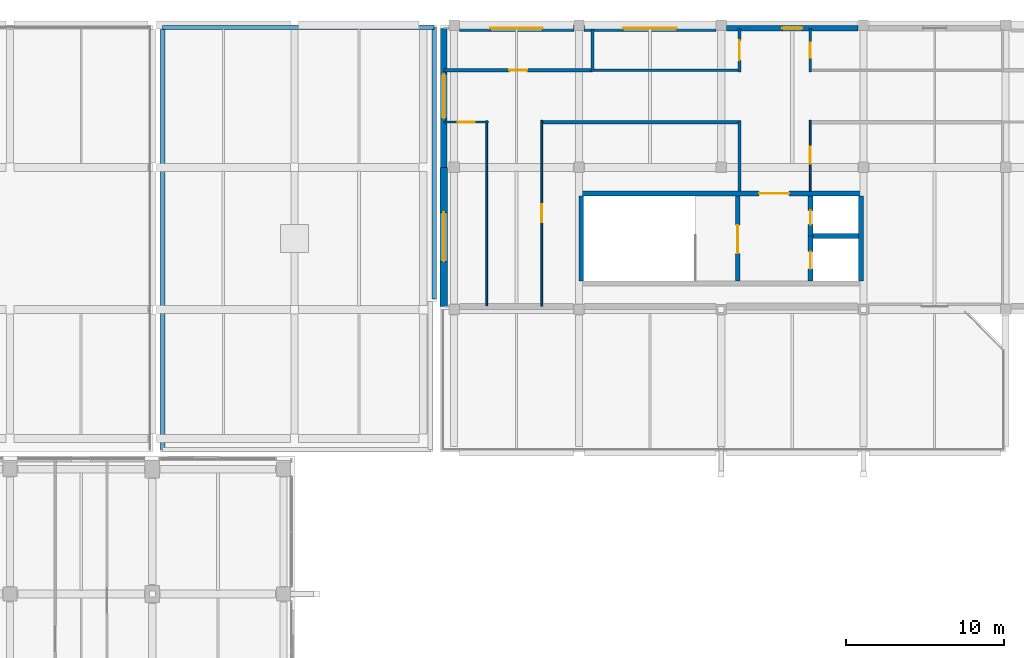
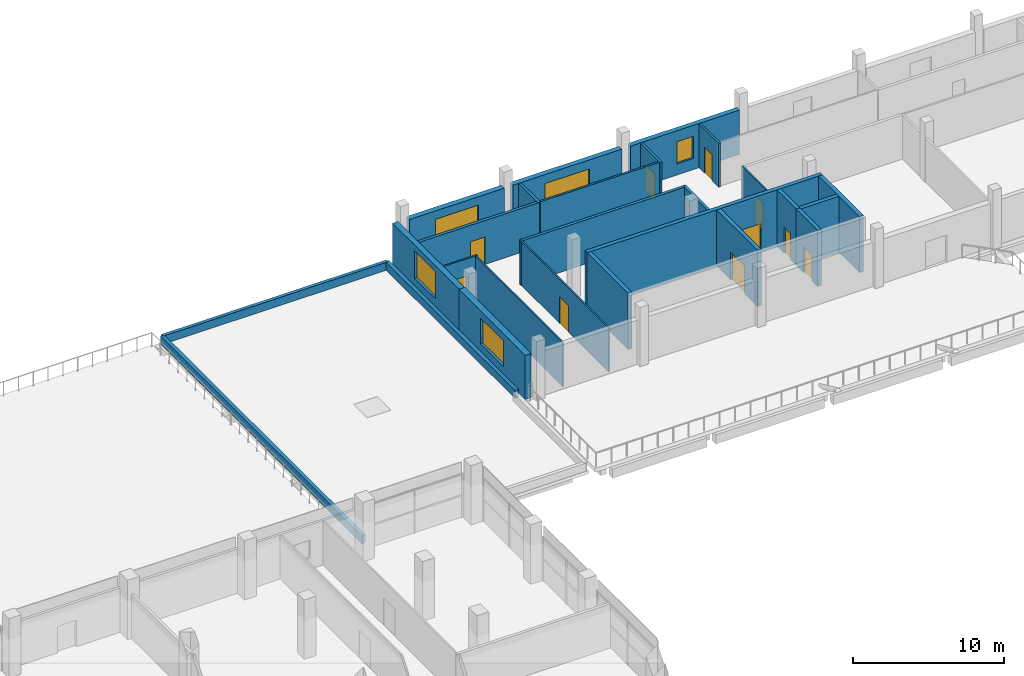
# One storey, part 59 of 82: 26 walls, 10 doors, 5 windows, 15 openings.
"""IFC4 building model written with IfcOpenShell, lengths in metres."""

from ifc_helpers import new_model, si_unit, direction, frame, frame_2d, origin, place, context, subcontext, project, spatial, rectangle, extrude, material, layer, layer_set, type_object, element, fill, save


model = new_model("IFC4")

# Units and contexts
model_context = context("Model", 3, precision=1e-05, world=origin(), true_north=direction((0.0, 1.0)))
body_context = subcontext(model_context, "Body", "Model", "MODEL_VIEW")
ifc_project = project(units=[si_unit("LENGTHUNIT", "METRE"), si_unit("AREAUNIT", "SQUARE_METRE"), si_unit("VOLUMEUNIT", "CUBIC_METRE"), si_unit("PLANEANGLEUNIT", "RADIAN"), si_unit("MASSUNIT", "GRAM", prefix="KILO"), si_unit("THERMODYNAMICTEMPERATUREUNIT", "KELVIN"), si_unit("POWERUNIT", "WATT")], contexts=[model_context])

# Site, building, storey
site_placement = place(None, origin())
site = spatial("IfcSite", under=ifc_project, at=site_placement, CompositionType="ELEMENT")
building_placement = place(site_placement, origin())
building = spatial("IfcBuilding", under=site, at=building_placement, Name="Sindhuravela Promenade Stadium", CompositionType="ELEMENT")
storey_placement = place(building_placement, frame((0.0, 0.0, 14.39990234375)))
storey = spatial("IfcBuildingStorey", under=building, at=storey_placement, Name="L03", CompositionType="ELEMENT", Elevation=14.39990234375)

# Wall, opening, window
ifc_material_1 = material(Name="Terracotta clay brick masonry (15 MPa)", Category="masonry")
ifc_layer_1 = layer(ifc_material_1, 0.360107421875)
ifc_layer_set_1 = layer_set([ifc_layer_1], Name="Terracotta clay brick masonry (15 MPa)")
wall_type_1 = type_object("IfcWallType", Name="EX-WL-BRK360", PredefinedType="SOLIDWALL", material=ifc_layer_set_1)
wall_1_placement = place(storey_placement, frame((72.330078125, 152.800048828125, 0.0), z_axis=(0.0, 0.0, 1.0), x_axis=(1.0, 0.0, 0.0)))
wall_1 = element("IfcWall", 1, at=wall_1_placement, inside=storey, type_object=wall_type_1, Name="Exterior masonry wall EW05 NORTH L03", PredefinedType="SOLIDWALL", context=body_context, shape_type="SweptSolid", body=[
    extrude(rectangle(XDim=8.33984375, YDim=0.360107421875, at=frame_2d((4.169921875, 0.0))), origin(), (0.0, 0.0, 1.0), 3.580078125),
])
opening_1_placement = place(wall_1_placement, frame((3.544921875, 0.0, 0.89990234375)))
opening_1 = element("IfcOpeningElement", 2, at=opening_1_placement, cuts=wall_1, Name="Opening W25", PredefinedType="OPENING", context=body_context, shape_type="SweptSolid", body=[
    extrude(rectangle(XDim=1.25, YDim=1.800048828125, at=frame_2d((0.625, 0.89990234375))), frame((0.0, 0.18994140625, 0.0), z_axis=(0.0, -1.0, 0.0), x_axis=(1.0, 0.0, 0.0)), (0.0, 0.0, 1.0), 0.380126953125),
])
ifc_material_2 = material(Name="Tempered laminated low-E glass", Category="glass")
window_type_1 = type_object("IfcWindowType", Name="WN-FAC-1250x1800", PartitioningType="SINGLE_PANEL", PredefinedType="WINDOW", material=ifc_material_2)
window_1_placement = place(opening_1_placement, origin())
window_1 = element("IfcWindow", 3, at=window_1_placement, inside=storey, type_object=window_type_1, Name="Window W25 NORTH L03", OverallHeight=1.800048828125, OverallWidth=1.25, PartitioningType="SINGLE_PANEL", PredefinedType="WINDOW", context=body_context, shape_type="SweptSolid", body=[
    extrude(rectangle(XDim=1.25, YDim=1.800048828125, at=frame_2d((0.625, 0.89990234375))), frame((0.0, 0.030029296875, 0.0), z_axis=(0.0, -1.0, 0.0), x_axis=(1.0, 0.0, 0.0)), (0.0, 0.0, 1.0), 0.06005859375),
])
fill(opening_1, window_1)

ifc_layer_2 = layer(ifc_material_1, 0.3798828125)
ifc_layer_set_2 = layer_set([ifc_layer_2], Name="Terracotta clay brick masonry (15 MPa)")
wall_type_2 = type_object("IfcWallType", Name="EX-WL-BRK380", PredefinedType="SOLIDWALL", material=ifc_layer_set_2)
wall_2_placement = place(storey_placement, frame((63.330078125, 152.800048828125, 0.0), z_axis=(0.0, 0.0, 1.0), x_axis=(1.0, 0.0, 0.0)))
wall_2 = element("IfcWall", 4, at=wall_2_placement, inside=storey, type_object=wall_type_2, Name="Exterior masonry wall EW04 NORTH L03", PredefinedType="SOLIDWALL", context=body_context, shape_type="SweptSolid", body=[
    extrude(rectangle(XDim=8.33984375, YDim=0.3798828125, at=frame_2d((4.169921875, 0.0))), origin(), (0.0, 0.0, 1.0), 3.580078125),
])
opening_2_placement = place(wall_2_placement, frame((2.469970703125, 0.0, 0.89990234375)))
opening_2 = element("IfcOpeningElement", 5, at=opening_2_placement, cuts=wall_2, Name="Opening W24", PredefinedType="OPENING", context=body_context, shape_type="SweptSolid", body=[
    extrude(rectangle(XDim=3.39990234375, YDim=1.949951171875, at=frame_2d((1.699951171875, 0.97509765625))), frame((0.0, 0.199951171875, 0.0), z_axis=(0.0, -1.0, 0.0), x_axis=(1.0, 0.0, 0.0)), (0.0, 0.0, 1.0), 0.39990234375),
])
window_type_2 = type_object("IfcWindowType", Name="WN-FAC-3400x1950", PartitioningType="DOUBLE_PANEL_VERTICAL", PredefinedType="WINDOW", material=ifc_material_2)
window_2_placement = place(opening_2_placement, origin())
window_2 = element("IfcWindow", 6, at=window_2_placement, inside=storey, type_object=window_type_2, Name="Window W24 NORTH L03", OverallHeight=1.949951171875, OverallWidth=3.39990234375, PartitioningType="DOUBLE_PANEL_VERTICAL", PredefinedType="WINDOW", context=body_context, shape_type="SweptSolid", body=[
    extrude(rectangle(XDim=3.39990234375, YDim=1.949951171875, at=frame_2d((1.699951171875, 0.97509765625))), frame((0.0, 0.030029296875, 0.0), z_axis=(0.0, -1.0, 0.0), x_axis=(1.0, 0.0, 0.0)), (0.0, 0.0, 1.0), 0.06005859375),
])
fill(opening_2, window_2)

ifc_layer_3 = layer(ifc_material_1, 0.39990234375)
ifc_layer_set_3 = layer_set([ifc_layer_3], Name="Terracotta clay brick masonry (15 MPa)")
wall_type_3 = type_object("IfcWallType", Name="EX-WL-BRK400", PredefinedType="SOLIDWALL", material=ifc_layer_set_3)
wall_3_placement = place(storey_placement, frame((55.429931640625, 152.800048828125, 0.0), z_axis=(0.0, 0.0, 1.0), x_axis=(1.0, 0.0, 0.0)))
wall_3 = element("IfcWall", 7, at=wall_3_placement, inside=storey, type_object=wall_type_3, Name="Exterior masonry wall EW03 NORTH L03", PredefinedType="SOLIDWALL", context=body_context, shape_type="SweptSolid", body=[
    extrude(rectangle(XDim=7.239990234375, YDim=0.39990234375, at=frame_2d((3.6201171875, 0.0))), origin(), (0.0, 0.0, 1.0), 3.580078125),
])
opening_3_placement = place(wall_3_placement, frame((1.969970703125, 0.0, 0.89990234375)))
opening_3 = element("IfcOpeningElement", 8, at=opening_3_placement, cuts=wall_3, Name="Opening W23", PredefinedType="OPENING", context=body_context, shape_type="SweptSolid", body=[
    extrude(rectangle(XDim=3.300048828125, YDim=2.0, at=frame_2d((1.64990234375, 1.0))), frame((0.0, 0.2099609375, 0.0), z_axis=(0.0, -1.0, 0.0), x_axis=(1.0, 0.0, 0.0)), (0.0, 0.0, 1.0), 0.419921875),
])
window_type_3 = type_object("IfcWindowType", Name="WN-FAC-3300x2000", PartitioningType="DOUBLE_PANEL_VERTICAL", PredefinedType="WINDOW", material=ifc_material_2)
window_3_placement = place(opening_3_placement, origin())
window_3 = element("IfcWindow", 9, at=window_3_placement, inside=storey, type_object=window_type_3, Name="Window W23 NORTH L03", OverallHeight=2.0, OverallWidth=3.300048828125, PartitioningType="DOUBLE_PANEL_VERTICAL", PredefinedType="WINDOW", context=body_context, shape_type="SweptSolid", body=[
    extrude(rectangle(XDim=3.300048828125, YDim=2.0, at=frame_2d((1.64990234375, 1.0))), frame((0.0, 0.030029296875, 0.0), z_axis=(0.0, -1.0, 0.0), x_axis=(1.0, 0.0, 0.0)), (0.0, 0.0, 1.0), 0.06005859375),
])
fill(opening_3, window_3)

ifc_layer_4 = layer(ifc_material_1, 0.419921875)
ifc_layer_set_4 = layer_set([ifc_layer_4], Name="Terracotta clay brick masonry (15 MPa)")
wall_type_4 = type_object("IfcWallType", Name="EX-WL-BRK420", PredefinedType="SOLIDWALL", material=ifc_layer_set_4)
wall_4_placement = place(storey_placement, frame((54.449951171875, 144.0, 0.0), z_axis=(0.0, 0.0, 1.0), x_axis=(0.0, 1.0, 0.0)))
wall_4 = element("IfcWall", 10, at=wall_4_placement, inside=storey, type_object=wall_type_4, Name="Exterior masonry wall EW02 NORTH L03", PredefinedType="SOLIDWALL", context=body_context, shape_type="SweptSolid", body=[
    extrude(rectangle(XDim=8.800048828125, YDim=0.419921875, at=frame_2d((4.39990234375, 0.0))), origin(), (0.0, 0.0, 1.0), 3.580078125),
])
opening_4_placement = place(wall_4_placement, frame((3.10009765625, 0.0, 0.89990234375)))
opening_4 = element("IfcOpeningElement", 11, at=opening_4_placement, cuts=wall_4, Name="Opening W18", PredefinedType="OPENING", context=body_context, shape_type="SweptSolid", body=[
    extrude(rectangle(XDim=2.800048828125, YDim=2.199951171875, at=frame_2d((1.39990234375, 1.10009765625))), frame((0.0, 0.219970703125, 0.0), z_axis=(0.0, -1.0, 0.0), x_axis=(1.0, 0.0, 0.0)), (0.0, 0.0, 1.0), 0.43994140625),
])
window_type_4 = type_object("IfcWindowType", Name="WN-FAC-2800x2200", PartitioningType="DOUBLE_PANEL_VERTICAL", PredefinedType="WINDOW", material=ifc_material_2)
window_4_placement = place(opening_4_placement, origin())
window_4 = element("IfcWindow", 12, at=window_4_placement, inside=storey, type_object=window_type_4, Name="Window W22 NORTH L03", OverallHeight=2.199951171875, OverallWidth=2.800048828125, PartitioningType="DOUBLE_PANEL_VERTICAL", PredefinedType="WINDOW", context=body_context, shape_type="SweptSolid", body=[
    extrude(rectangle(XDim=2.800048828125, YDim=2.199951171875, at=frame_2d((1.39990234375, 1.10009765625))), frame((0.0, 0.030029296875, 0.0), z_axis=(0.0, -1.0, 0.0), x_axis=(1.0, 0.0, 0.0)), (0.0, 0.0, 1.0), 0.06005859375),
])
fill(opening_4, window_4)

ifc_layer_5 = layer(ifc_material_1, 0.4599609375)
ifc_layer_set_5 = layer_set([ifc_layer_5], Name="Terracotta clay brick masonry (15 MPa)")
wall_type_5 = type_object("IfcWallType", Name="EX-WL-BRK460", PredefinedType="SOLIDWALL", material=ifc_layer_set_5)
wall_5_placement = place(storey_placement, frame((54.449951171875, 135.199951171875, 0.0), z_axis=(0.0, 0.0, 1.0), x_axis=(0.0, 1.0, 0.0)))
wall_5 = element("IfcWall", 13, at=wall_5_placement, inside=storey, type_object=wall_type_5, Name="Exterior masonry wall EW01 NORTH L03", PredefinedType="SOLIDWALL", context=body_context, shape_type="SweptSolid", body=[
    extrude(rectangle(XDim=8.800048828125, YDim=0.4599609375, at=frame_2d((4.39990234375, 0.0))), origin(), (0.0, 0.0, 1.0), 3.580078125),
])
opening_5_placement = place(wall_5_placement, frame((2.85009765625, 0.0, 0.89990234375)))
opening_5 = element("IfcOpeningElement", 14, at=opening_5_placement, cuts=wall_5, Name="Opening W21", PredefinedType="OPENING", context=body_context, shape_type="SweptSolid", body=[
    extrude(rectangle(XDim=3.10009765625, YDim=2.10009765625, at=frame_2d((1.550048828125, 1.050048828125))), frame((0.0, 0.239990234375, 0.0), z_axis=(0.0, -1.0, 0.0), x_axis=(1.0, 0.0, 0.0)), (0.0, 0.0, 1.0), 0.47998046875),
])
window_type_5 = type_object("IfcWindowType", Name="WN-FAC-3100x2100", PartitioningType="DOUBLE_PANEL_VERTICAL", PredefinedType="WINDOW", material=ifc_material_2)
window_5_placement = place(opening_5_placement, origin())
window_5 = element("IfcWindow", 15, at=window_5_placement, inside=storey, type_object=window_type_5, Name="Window W21 NORTH L03", OverallHeight=2.10009765625, OverallWidth=3.10009765625, PartitioningType="DOUBLE_PANEL_VERTICAL", PredefinedType="WINDOW", context=body_context, shape_type="SweptSolid", body=[
    extrude(rectangle(XDim=3.10009765625, YDim=2.10009765625, at=frame_2d((1.550048828125, 1.050048828125))), frame((0.0, 0.030029296875, 0.0), z_axis=(0.0, -1.0, 0.0), x_axis=(1.0, 0.0, 0.0)), (0.0, 0.0, 1.0), 0.06005859375),
])
fill(opening_5, window_5)

# Walls
ifc_material_3 = material(Name="Dholpur sandstone ashlar (45 MPa)", Category="masonry")
ifc_layer_6 = layer(ifc_material_3, 0.25)
ifc_layer_set_6 = layer_set([ifc_layer_6], Name="Dholpur sandstone ashlar (45 MPa)")
wall_type_6 = type_object("IfcWallType", Name="EX-WL-PAR250", PredefinedType="PARAPET", material=ifc_layer_set_6)
wall_6_placement = place(storey_placement, frame((36.659912109375, 152.840087890625, 0.0), z_axis=(0.0, 0.0, 1.0), x_axis=(1.0, 0.0, 0.0)))
element("IfcWall", 16, at=wall_6_placement, inside=storey, type_object=wall_type_6, Name="Maintenance roof parapet Pavilion NW 29", PredefinedType="PARAPET", context=body_context, shape_type="SweptSolid", body=[
    extrude(rectangle(XDim=17.18017578125, YDim=0.25, at=frame_2d((8.590087890625, 0.0))), origin(), (0.0, 0.0, 1.0), 0.650146484375),
])
ifc_layer_7 = layer(ifc_material_1, 0.27001953125)
ifc_layer_set_7 = layer_set([ifc_layer_7], Name="Terracotta clay brick masonry (15 MPa)")
wall_type_7 = type_object("IfcWallType", Name="EX-WL-PAR270", PredefinedType="PARAPET", material=ifc_layer_set_7)
wall_7_placement = place(storey_placement, frame((36.659912109375, 126.159912109375, 0.0), z_axis=(0.0, 0.0, 1.0), x_axis=(0.0, 1.0, 0.0)))
element("IfcWall", 17, at=wall_7_placement, inside=storey, type_object=wall_type_7, Name="Maintenance roof parapet Pavilion NW 28", PredefinedType="PARAPET", context=body_context, shape_type="SweptSolid", body=[
    extrude(rectangle(XDim=26.68017578125, YDim=0.27001953125, at=frame_2d((13.340087890625, 0.0))), origin(), (0.0, 0.0, 1.0), 0.650146484375),
])
wall_8_placement = place(storey_placement, frame((53.840087890625, 152.840087890625, 0.0), z_axis=(0.0, 0.0, 1.0), x_axis=(0.0, -1.0, 0.0)))
element("IfcWall", 18, at=wall_8_placement, inside=storey, type_object=wall_type_7, Name="Maintenance roof parapet Pavilion NW 30", PredefinedType="PARAPET", context=body_context, shape_type="SweptSolid", body=[
    extrude(rectangle(XDim=17.18017578125, YDim=0.27001953125, at=frame_2d((8.590087890625, 0.0))), origin(), (0.0, 0.0, 1.0), 0.650146484375),
])

# Wall, opening, door
ifc_material_4 = material(Name="Fire-rated gypsum partition board", Category="gypsum")
ifc_layer_8 = layer(ifc_material_4, 0.110107421875)
ifc_layer_set_8 = layer_set([ifc_layer_8], Name="Fire-rated gypsum partition board")
wall_type_8 = type_object("IfcWallType", Name="IN-WL-PAR110", PredefinedType="PARTITIONING", material=ifc_layer_set_8)
wall_9_placement = place(storey_placement, frame((77.639892578125, 146.97998046875, 0.0), z_axis=(0.0, 0.0, 1.0), x_axis=(0.0, -1.0, 0.0)))
wall_9 = element("IfcWall", 19, at=wall_9_placement, inside=storey, type_object=wall_type_8, Name="Corridor partition IW06 Accessible WC North L03", PredefinedType="PARTITIONING", context=body_context, shape_type="SweptSolid", body=[
    extrude(rectangle(XDim=4.47802734375, YDim=0.110107421875, at=frame_2d((2.239013671875, 0.0))), origin(), (0.0, 0.0, 1.0), 3.56005859375),
])
opening_6_placement = place(wall_9_placement, frame((1.659912109375, 0.0, 0.0)))
opening_6 = element("IfcOpeningElement", 20, at=opening_6_placement, cuts=wall_9, Name="Opening ID12", PredefinedType="OPENING", context=body_context, shape_type="SweptSolid", body=[
    extrude(rectangle(XDim=1.080078125, YDim=2.179931640625, at=frame_2d((0.5400390625, 1.08984375))), frame((0.0, 0.06494140625, 0.0), z_axis=(0.0, -1.0, 0.0), x_axis=(1.0, 0.0, 0.0)), (0.0, 0.0, 1.0), 0.130126953125),
])
ifc_material_5 = material(Name="Architectural teak timber leaf", Category="wood")
door_type_1 = type_object("IfcDoorType", Name="DR-INT-1080x2180", OperationType="NOTDEFINED", PredefinedType="DOOR", material=ifc_material_5)
door_1_placement = place(opening_6_placement, origin())
door_1 = element("IfcDoor", 21, at=door_1_placement, inside=storey, type_object=door_type_1, Name="Accessible WC North L03 door", OperationType="SINGLE_SWING_RIGHT", OverallHeight=2.179931640625, OverallWidth=1.080078125, PredefinedType="DOOR", context=body_context, shape_type="SweptSolid", body=[
    extrude(rectangle(XDim=1.080078125, YDim=2.179931640625, at=frame_2d((0.5400390625, 1.08984375))), frame((0.0, 0.02490234375, 0.0), z_axis=(0.0, -1.0, 0.0), x_axis=(1.0, 0.0, 0.0)), (0.0, 0.0, 1.0), 0.050048828125),
])
fill(opening_6, door_1)

wall_10_placement = place(storey_placement, frame((60.639892578125, 146.97998046875, 0.0), z_axis=(0.0, 0.0, 1.0), x_axis=(0.0, -1.0, 0.0)))
wall_10 = element("IfcWall", 22, at=wall_10_placement, inside=storey, type_object=wall_type_8, Name="Corridor partition IW06 Supporters Viewing Lounge North 3", PredefinedType="PARTITIONING", context=body_context, shape_type="SweptSolid", body=[
    extrude(rectangle(XDim=11.780029296875, YDim=0.110107421875, at=frame_2d((5.89013671875, 0.0))), origin(), (0.0, 0.0, 1.0), 3.56005859375),
])
opening_7_placement = place(wall_10_placement, frame((5.31494140625, 0.0, 0.0)))
opening_7 = element("IfcOpeningElement", 23, at=opening_7_placement, cuts=wall_10, Name="Opening ID05", PredefinedType="OPENING", context=body_context, shape_type="SweptSolid", body=[
    extrude(rectangle(XDim=1.14990234375, YDim=2.14990234375, at=frame_2d((0.574951171875, 1.074951171875))), frame((0.0, 0.06494140625, 0.0), z_axis=(0.0, -1.0, 0.0), x_axis=(1.0, 0.0, 0.0)), (0.0, 0.0, 1.0), 0.130126953125),
])
door_type_2 = type_object("IfcDoorType", Name="DR-INT-1150x2150", OperationType="NOTDEFINED", PredefinedType="DOOR", material=ifc_material_5)
door_2_placement = place(opening_7_placement, origin())
door_2 = element("IfcDoor", 24, at=door_2_placement, inside=storey, type_object=door_type_2, Name="Supporters Viewing Lounge North 3 door", OperationType="SINGLE_SWING_LEFT", OverallHeight=2.14990234375, OverallWidth=1.14990234375, PredefinedType="DOOR", context=body_context, shape_type="SweptSolid", body=[
    extrude(rectangle(XDim=1.14990234375, YDim=2.14990234375, at=frame_2d((0.574951171875, 1.074951171875))), frame((0.0, 0.02490234375, 0.0), z_axis=(0.0, -1.0, 0.0), x_axis=(1.0, 0.0, 0.0)), (0.0, 0.0, 1.0), 0.050048828125),
])
fill(opening_7, door_2)

# Wall
wall_11_placement = place(storey_placement, frame((57.159912109375, 146.93994140625, 0.0), z_axis=(0.0, 0.0, 1.0), x_axis=(0.0, -1.0, 0.0)))
element("IfcWall", 25, at=wall_11_placement, inside=storey, type_object=wall_type_8, Name="Interior partition IW06 NORTH L03", PredefinedType="PARTITIONING", context=body_context, shape_type="SweptSolid", body=[
    extrude(rectangle(XDim=11.699951171875, YDim=0.110107421875, at=frame_2d((5.85009765625, 0.0))), origin(), (0.0, 0.0, 1.0), 3.56005859375),
])

# Wall, opening, door
ifc_layer_9 = layer(ifc_material_4, 0.1298828125)
ifc_layer_set_9 = layer_set([ifc_layer_9], Name="Fire-rated gypsum partition board")
wall_type_9 = type_object("IfcWallType", Name="IN-WL-PAR130", PredefinedType="PARTITIONING", material=ifc_layer_set_9)
wall_12_placement = place(storey_placement, frame((57.280029296875, 146.860107421875, 0.0), z_axis=(0.0, 0.0, 1.0), x_axis=(-1.0, 0.0, 0.0)))
wall_12 = element("IfcWall", 26, at=wall_12_placement, inside=storey, type_object=wall_type_9, Name="Corridor partition IW05 Accessible WC North L03 10", PredefinedType="PARTITIONING", context=body_context, shape_type="SweptSolid", body=[
    extrude(rectangle(XDim=2.830078125, YDim=0.1298828125, at=frame_2d((1.4150390625, 0.0))), origin(), (0.0, 0.0, 1.0), 3.56005859375),
])
opening_8_placement = place(wall_12_placement, frame((0.875, 0.0, 0.0)))
opening_8 = element("IfcOpeningElement", 27, at=opening_8_placement, cuts=wall_12, Name="Opening ID12", PredefinedType="OPENING", context=body_context, shape_type="SweptSolid", body=[
    extrude(rectangle(XDim=1.080078125, YDim=2.179931640625, at=frame_2d((0.5400390625, 1.08984375))), frame((0.0, 0.074951171875, 0.0), z_axis=(0.0, -1.0, 0.0), x_axis=(1.0, 0.0, 0.0)), (0.0, 0.0, 1.0), 0.14990234375),
])
door_3_placement = place(opening_8_placement, origin())
door_3 = element("IfcDoor", 28, at=door_3_placement, inside=storey, type_object=door_type_1, Name="Accessible WC North L03 10 door", OperationType="SINGLE_SWING_RIGHT", OverallHeight=2.179931640625, OverallWidth=1.080078125, PredefinedType="DOOR", context=body_context, shape_type="SweptSolid", body=[
    extrude(rectangle(XDim=1.080078125, YDim=2.179931640625, at=frame_2d((0.5400390625, 1.08984375))), frame((0.0, 0.02490234375, 0.0), z_axis=(0.0, -1.0, 0.0), x_axis=(1.0, 0.0, 0.0)), (0.0, 0.0, 1.0), 0.050048828125),
])
fill(opening_8, door_3)

ifc_layer_10 = layer(ifc_material_4, 0.14990234375)
ifc_layer_set_10 = layer_set([ifc_layer_10], Name="Fire-rated gypsum partition board")
wall_type_10 = type_object("IfcWallType", Name="IN-WL-PAR150", PredefinedType="PARTITIONING", material=ifc_layer_set_10)
wall_13_placement = place(storey_placement, frame((77.639892578125, 152.800048828125, 0.0), z_axis=(0.0, 0.0, 1.0), x_axis=(0.0, -1.0, 0.0)))
wall_13 = element("IfcWall", 29, at=wall_13_placement, inside=storey, type_object=wall_type_10, Name="Corridor partition IW04 North Upper Concourse Hall 7", PredefinedType="PARTITIONING", context=body_context, shape_type="SweptSolid", body=[
    extrude(rectangle(XDim=2.780029296875, YDim=0.14990234375, at=frame_2d((1.39013671875, 0.0))), origin(), (0.0, 0.0, 1.0), 3.56005859375),
])
opening_9_placement = place(wall_13_placement, frame((0.9150390625, 0.0, 0.0)))
opening_9 = element("IfcOpeningElement", 30, at=opening_9_placement, cuts=wall_13, Name="Opening ID09", PredefinedType="OPENING", context=body_context, shape_type="SweptSolid", body=[
    extrude(rectangle(XDim=0.949951171875, YDim=2.10009765625, at=frame_2d((0.47509765625, 1.050048828125))), frame((0.0, 0.0849609375, 0.0), z_axis=(0.0, -1.0, 0.0), x_axis=(1.0, 0.0, 0.0)), (0.0, 0.0, 1.0), 0.169921875),
])
door_type_3 = type_object("IfcDoorType", Name="DR-INT-950x2100", OperationType="NOTDEFINED", PredefinedType="DOOR", material=ifc_material_5)
door_4_placement = place(opening_9_placement, origin())
door_4 = element("IfcDoor", 31, at=door_4_placement, inside=storey, type_object=door_type_3, Name="North Upper Concourse Hall 7 door", OperationType="SINGLE_SWING_LEFT", OverallHeight=2.10009765625, OverallWidth=0.949951171875, PredefinedType="DOOR", context=body_context, shape_type="SweptSolid", body=[
    extrude(rectangle(XDim=0.949951171875, YDim=2.10009765625, at=frame_2d((0.47509765625, 1.050048828125))), frame((0.0, 0.02490234375, 0.0), z_axis=(0.0, -1.0, 0.0), x_axis=(1.0, 0.0, 0.0)), (0.0, 0.0, 1.0), 0.050048828125),
])
fill(opening_9, door_4)

# Wall
wall_14_placement = place(storey_placement, frame((73.239990234375, 150.139892578125, 0.0), z_axis=(0.0, 0.0, 1.0), x_axis=(-1.0, 0.0, 0.0)))
element("IfcWall", 32, at=wall_14_placement, inside=storey, type_object=wall_type_10, Name="Interior partition IW04 NORTH L03", PredefinedType="PARTITIONING", context=body_context, shape_type="SweptSolid", body=[
    extrude(rectangle(XDim=9.3349609375, YDim=0.14990234375, at=frame_2d((4.66748046875, 0.0))), origin(), (0.0, 0.0, 1.0), 3.56005859375),
])

# Wall, opening, door
ifc_layer_11 = layer(ifc_material_4, 0.175048828125)
ifc_layer_set_11 = layer_set([ifc_layer_11], Name="Fire-rated gypsum partition board")
wall_type_11 = type_object("IfcWallType", Name="IN-WL-PAR175", PredefinedType="PARTITIONING", material=ifc_layer_set_11)
wall_15_placement = place(storey_placement, frame((73.159912109375, 150.02001953125, 0.0), z_axis=(0.0, 0.0, 1.0), x_axis=(0.0, 1.0, 0.0)))
wall_15 = element("IfcWall", 33, at=wall_15_placement, inside=storey, type_object=wall_type_11, Name="Corridor partition IW03 North Upper Concourse Hall 12", PredefinedType="PARTITIONING", context=body_context, shape_type="SweptSolid", body=[
    extrude(rectangle(XDim=2.780029296875, YDim=0.175048828125, at=frame_2d((1.39013671875, 0.0))), origin(), (0.0, 0.0, 1.0), 3.56005859375),
])
opening_10_placement = place(wall_15_placement, frame((0.764892578125, 0.0, 0.0)))
opening_10 = element("IfcOpeningElement", 34, at=opening_10_placement, cuts=wall_15, Name="Opening ID04", PredefinedType="OPENING", context=body_context, shape_type="SweptSolid", body=[
    extrude(rectangle(XDim=1.25, YDim=2.14990234375, at=frame_2d((0.625, 1.074951171875))), frame((0.0, 0.097412109375, 0.0), z_axis=(0.0, -1.0, 0.0), x_axis=(1.0, 0.0, 0.0)), (0.0, 0.0, 1.0), 0.195068359375),
])
door_type_4 = type_object("IfcDoorType", Name="DR-INT-1250x2150", OperationType="NOTDEFINED", PredefinedType="DOOR", material=ifc_material_5)
door_5_placement = place(opening_10_placement, origin())
door_5 = element("IfcDoor", 35, at=door_5_placement, inside=storey, type_object=door_type_4, Name="North Upper Concourse Hall 12 door", OperationType="SINGLE_SWING_RIGHT", OverallHeight=2.14990234375, OverallWidth=1.25, PredefinedType="DOOR", context=body_context, shape_type="SweptSolid", body=[
    extrude(rectangle(XDim=1.25, YDim=2.14990234375, at=frame_2d((0.625, 1.074951171875))), frame((0.0, 0.02490234375, 0.0), z_axis=(0.0, -1.0, 0.0), x_axis=(1.0, 0.0, 0.0)), (0.0, 0.0, 1.0), 0.050048828125),
])
fill(opening_10, door_5)

# Walls
ifc_layer_12 = layer(ifc_material_4, 0.195068359375)
ifc_layer_set_12 = layer_set([ifc_layer_12], Name="Fire-rated gypsum partition board")
wall_type_12 = type_object("IfcWallType", Name="IN-WL-PAR195", PredefinedType="PARTITIONING", material=ifc_layer_set_12)
wall_16_placement = place(storey_placement, frame((73.159912109375, 146.93994140625, 0.0), z_axis=(0.0, 0.0, 1.0), x_axis=(0.0, -1.0, 0.0)))
element("IfcWall", 36, at=wall_16_placement, inside=storey, type_object=wall_type_12, Name="Interior partition IW02 NORTH L03", PredefinedType="PARTITIONING", context=body_context, shape_type="SweptSolid", body=[
    extrude(rectangle(XDim=4.43798828125, YDim=0.195068359375, at=frame_2d((2.218994140625, 0.0))), origin(), (0.0, 0.0, 1.0), 3.56005859375),
])
wall_17_placement = place(storey_placement, frame((63.864990234375, 152.760009765625, 0.0), z_axis=(0.0, 0.0, 1.0), x_axis=(0.0, -1.0, 0.0)))
element("IfcWall", 37, at=wall_17_placement, inside=storey, type_object=wall_type_12, Name="Interior partition IW02 NORTH L03", PredefinedType="PARTITIONING", context=body_context, shape_type="SweptSolid", body=[
    extrude(rectangle(XDim=2.699951171875, YDim=0.195068359375, at=frame_2d((1.35009765625, 0.0))), origin(), (0.0, 0.0, 1.0), 3.56005859375),
])
ifc_layer_13 = layer(ifc_material_4, 0.219970703125)
ifc_layer_set_13 = layer_set([ifc_layer_13], Name="Fire-rated gypsum partition board")
wall_type_13 = type_object("IfcWallType", Name="IN-WL-PAR220", PredefinedType="PARTITIONING", material=ifc_layer_set_13)
wall_18_placement = place(storey_placement, frame((60.56005859375, 146.860107421875, 0.0), z_axis=(0.0, 0.0, 1.0), x_axis=(1.0, 0.0, 0.0)))
element("IfcWall", 38, at=wall_18_placement, inside=storey, type_object=wall_type_13, Name="Interior partition IW01 NORTH L03", PredefinedType="PARTITIONING", context=body_context, shape_type="SweptSolid", body=[
    extrude(rectangle(XDim=12.679931640625, YDim=0.219970703125, at=frame_2d((6.33984375, 0.0))), origin(), (0.0, 0.0, 1.0), 3.56005859375),
])

# Wall, opening, door
wall_19_placement = place(storey_placement, frame((54.449951171875, 150.139892578125, 0.0), z_axis=(0.0, 0.0, 1.0), x_axis=(1.0, 0.0, 0.0)))
wall_19 = element("IfcWall", 39, at=wall_19_placement, inside=storey, type_object=wall_type_13, Name="Corridor partition IW01 Public Toilet Block North L03 11", PredefinedType="PARTITIONING", context=body_context, shape_type="SweptSolid", body=[
    extrude(rectangle(XDim=9.4150390625, YDim=0.219970703125, at=frame_2d((4.70751953125, 0.0))), origin(), (0.0, 0.0, 1.0), 3.56005859375),
])
opening_11_placement = place(wall_19_placement, frame((4.1474609375, 0.0, 0.0)))
opening_11 = element("IfcOpeningElement", 40, at=opening_11_placement, cuts=wall_19, Name="Opening ID13", PredefinedType="OPENING", context=body_context, shape_type="SweptSolid", body=[
    extrude(rectangle(XDim=1.1201171875, YDim=2.219970703125, at=frame_2d((0.56005859375, 1.10986328125))), frame((0.0, 0.119873046875, 0.0), z_axis=(0.0, -1.0, 0.0), x_axis=(1.0, 0.0, 0.0)), (0.0, 0.0, 1.0), 0.239990234375),
])
door_type_5 = type_object("IfcDoorType", Name="DR-INT-1120x2220", OperationType="NOTDEFINED", PredefinedType="DOOR", material=ifc_material_5)
door_6_placement = place(opening_11_placement, origin())
door_6 = element("IfcDoor", 41, at=door_6_placement, inside=storey, type_object=door_type_5, Name="Public Toilet Block North L03 11 door", OperationType="SINGLE_SWING_LEFT", OverallHeight=2.219970703125, OverallWidth=1.1201171875, PredefinedType="DOOR", context=body_context, shape_type="SweptSolid", body=[
    extrude(rectangle(XDim=1.1201171875, YDim=2.219970703125, at=frame_2d((0.56005859375, 1.10986328125))), frame((0.0, 0.02490234375, 0.0), z_axis=(0.0, -1.0, 0.0), x_axis=(1.0, 0.0, 0.0)), (0.0, 0.0, 1.0), 0.050048828125),
])
fill(opening_11, door_6)

ifc_material_6 = material(Name="Concrete M50", Category="concrete")
ifc_layer_14 = layer(ifc_material_6, 0.300048828125)
ifc_layer_set_14 = layer_set([ifc_layer_14], Name="Concrete M50")
wall_type_14 = type_object("IfcWallType", Name="RC-SW-300", PredefinedType="SHEAR", material=ifc_layer_set_14)
wall_20_placement = place(storey_placement, frame((81.0, 142.35009765625, 0.0), z_axis=(0.0, 0.0, 1.0), x_axis=(-1.0, 0.0, 0.0)))
wall_20 = element("IfcWall", 42, at=wall_20_placement, inside=storey, type_object=wall_type_14, Name="Core shear wall C09-N (L03)", PredefinedType="SHEAR", context=body_context, shape_type="SweptSolid", body=[
    extrude(rectangle(XDim=18.0, YDim=0.300048828125, at=frame_2d((9.0, 0.0))), origin(), (0.0, 0.0, 1.0), 4.55517578125),
])
opening_12_placement = place(wall_20_placement, frame((4.699951171875, 0.0, 0.0)))
opening_12 = element("IfcOpeningElement", 43, at=opening_12_placement, cuts=wall_20, Name="Opening FD02", PredefinedType="OPENING", context=body_context, shape_type="SweptSolid", body=[
    extrude(rectangle(XDim=1.89990234375, YDim=2.25, at=frame_2d((0.949951171875, 1.125))), frame((0.0, 0.159912109375, 0.0), z_axis=(0.0, -1.0, 0.0), x_axis=(1.0, 0.0, 0.0)), (0.0, 0.0, 1.0), 0.320068359375),
])
ifc_material_7 = material(Name="Architectural wrought steel E350", Category="steel")
door_type_6 = type_object("IfcDoorType", Name="DR-LOB-1900x2250", OperationType="DOUBLE_DOOR_SINGLE_SWING", PredefinedType="DOOR", material=ifc_material_7)
door_7_placement = place(opening_12_placement, origin())
door_7 = element("IfcDoor", 44, at=door_7_placement, inside=storey, type_object=door_type_6, Name="Protected lobby entrance door C09 (L03)", OperationType="DOUBLE_DOOR_SINGLE_SWING", OverallHeight=2.25, OverallWidth=1.89990234375, PredefinedType="DOOR", context=body_context, shape_type="SweptSolid", body=[
    extrude(rectangle(XDim=1.89990234375, YDim=2.25, at=frame_2d((0.949951171875, 1.125))), frame((0.0, 0.02490234375, 0.0), z_axis=(0.0, -1.0, 0.0), x_axis=(1.0, 0.0, 0.0)), (0.0, 0.0, 1.0), 0.050048828125),
])
fill(opening_12, door_7)

# Walls
for number, where, z_axis, x_axis, name in (
    (45, (63.14990234375, 142.199951171875, 0.0), (0.0, 0.0, 1.0), (0.0, -1.0, 0.0), "Core shear wall C09-W (L03)"),
    (46, (80.85009765625, 136.800048828125, 0.0), (0.0, 0.0, 1.0), (0.0, 1.0, 0.0), "Core shear wall C09-E (L03)"),
):
    element("IfcWall", number, at=place(storey_placement, frame(where, z_axis=z_axis, x_axis=x_axis)), inside=storey, type_object=wall_type_14, Name=name, PredefinedType="SHEAR", context=body_context, shape_type="SweptSolid", body=[
        extrude(rectangle(XDim=5.39990234375, YDim=0.300048828125, at=frame_2d((2.699951171875, 0.0))), origin(), (0.0, 0.0, 1.0), 4.55517578125),
    ])

# Wall, opening, door
wall_21_placement = place(storey_placement, frame((73.050048828125, 136.800048828125, 0.0), z_axis=(0.0, 0.0, 1.0), x_axis=(0.0, 1.0, 0.0)))
wall_21 = element("IfcWall", 47, at=wall_21_placement, inside=storey, type_object=wall_type_14, Name="Core shear wall C09-ST (L03)", PredefinedType="SHEAR", context=body_context, shape_type="SweptSolid", body=[
    extrude(rectangle(XDim=5.39990234375, YDim=0.300048828125, at=frame_2d((2.699951171875, 0.0))), origin(), (0.0, 0.0, 1.0), 4.55517578125),
])
opening_13_placement = place(wall_21_placement, frame((1.75, 0.0, 0.0)))
opening_13 = element("IfcOpeningElement", 48, at=opening_13_placement, cuts=wall_21, Name="Opening FD01", PredefinedType="OPENING", context=body_context, shape_type="SweptSolid", body=[
    extrude(rectangle(XDim=1.800048828125, YDim=2.25, at=frame_2d((0.89990234375, 1.125))), frame((0.0, 0.159912109375, 0.0), z_axis=(0.0, -1.0, 0.0), x_axis=(1.0, 0.0, 0.0)), (0.0, 0.0, 1.0), 0.320068359375),
])
door_type_7 = type_object("IfcDoorType", Name="DR-CORE-1800x2250", OperationType="DOUBLE_DOOR_SINGLE_SWING", PredefinedType="DOOR", material=ifc_material_7)
door_8_placement = place(opening_13_placement, origin())
door_8 = element("IfcDoor", 49, at=door_8_placement, inside=storey, type_object=door_type_7, Name="Stair ST09 lobby fire door (L03)", OperationType="DOUBLE_DOOR_SINGLE_SWING", OverallHeight=2.25, OverallWidth=1.800048828125, PredefinedType="DOOR", context=body_context, shape_type="SweptSolid", body=[
    extrude(rectangle(XDim=1.800048828125, YDim=2.25, at=frame_2d((0.89990234375, 1.125))), frame((0.0, 0.02490234375, 0.0), z_axis=(0.0, -1.0, 0.0), x_axis=(1.0, 0.0, 0.0)), (0.0, 0.0, 1.0), 0.050048828125),
])
fill(opening_13, door_8)

wall_22_placement = place(storey_placement, frame((77.64990234375, 136.800048828125, 0.0), z_axis=(0.0, 0.0, 1.0), x_axis=(0.0, 1.0, 0.0)))
wall_22 = element("IfcWall", 50, at=wall_22_placement, inside=storey, type_object=wall_type_14, Name="Core shear wall C09-LFT (L03)", PredefinedType="SHEAR", context=body_context, shape_type="SweptSolid", body=[
    extrude(rectangle(XDim=2.849853515625, YDim=0.300048828125, at=frame_2d((1.4248046875, 0.0))), origin(), (0.0, 0.0, 1.0), 4.55517578125),
])
opening_14_placement = place(wall_22_placement, frame((0.77490234375, 0.0, 0.0)))
opening_14 = element("IfcOpeningElement", 51, at=opening_14_placement, cuts=wall_22, Name="Opening LD", PredefinedType="OPENING", context=body_context, shape_type="SweptSolid", body=[
    extrude(rectangle(XDim=1.10009765625, YDim=2.10009765625, at=frame_2d((0.550048828125, 1.050048828125))), frame((0.0, 0.159912109375, 0.0), z_axis=(0.0, -1.0, 0.0), x_axis=(1.0, 0.0, 0.0)), (0.0, 0.0, 1.0), 0.320068359375),
])
door_type_8 = type_object("IfcDoorType", Name="DR-LFT-1100x2100", OperationType="DOUBLE_DOOR_SLIDING", PredefinedType="DOOR", material=ifc_material_7)
door_9_placement = place(opening_14_placement, origin())
door_9 = element("IfcDoor", 52, at=door_9_placement, inside=storey, type_object=door_type_8, Name="Lift PL03 landing door (L03)", OperationType="DOUBLE_DOOR_SLIDING", OverallHeight=2.10009765625, OverallWidth=1.10009765625, PredefinedType="DOOR", context=body_context, shape_type="SweptSolid", body=[
    extrude(rectangle(XDim=1.10009765625, YDim=2.10009765625, at=frame_2d((0.550048828125, 1.050048828125))), frame((0.0, 0.02490234375, 0.0), z_axis=(0.0, -1.0, 0.0), x_axis=(1.0, 0.0, 0.0)), (0.0, 0.0, 1.0), 0.050048828125),
])
fill(opening_14, door_9)

wall_23_placement = place(storey_placement, frame((77.64990234375, 139.64990234375, 0.0), z_axis=(0.0, 0.0, 1.0), x_axis=(0.0, 1.0, 0.0)))
wall_23 = element("IfcWall", 53, at=wall_23_placement, inside=storey, type_object=wall_type_14, Name="Core shear wall C09-RSR (L03)", PredefinedType="SHEAR", context=body_context, shape_type="SweptSolid", body=[
    extrude(rectangle(XDim=2.550048828125, YDim=0.300048828125, at=frame_2d((1.27490234375, 0.0))), origin(), (0.0, 0.0, 1.0), 4.55517578125),
])
opening_15_placement = place(wall_23_placement, frame((0.72509765625, 0.0, 0.0)))
opening_15 = element("IfcOpeningElement", 54, at=opening_15_placement, cuts=wall_23, Name="Opening FD03", PredefinedType="OPENING", context=body_context, shape_type="SweptSolid", body=[
    extrude(rectangle(XDim=0.89990234375, YDim=2.10009765625, at=frame_2d((0.449951171875, 1.050048828125))), frame((0.0, 0.159912109375, 0.0), z_axis=(0.0, -1.0, 0.0), x_axis=(1.0, 0.0, 0.0)), (0.0, 0.0, 1.0), 0.320068359375),
])
door_type_9 = type_object("IfcDoorType", Name="DR-RSR-900x2100", OperationType="NOTDEFINED", PredefinedType="DOOR", material=ifc_material_7)
door_10_placement = place(opening_15_placement, origin())
door_10 = element("IfcDoor", 55, at=door_10_placement, inside=storey, type_object=door_type_9, Name="Riser shaft access door C09 (L03)", OperationType="SINGLE_SWING_RIGHT", OverallHeight=2.10009765625, OverallWidth=0.89990234375, PredefinedType="DOOR", context=body_context, shape_type="SweptSolid", body=[
    extrude(rectangle(XDim=0.89990234375, YDim=2.10009765625, at=frame_2d((0.449951171875, 1.050048828125))), frame((0.0, 0.02490234375, 0.0), z_axis=(0.0, -1.0, 0.0), x_axis=(1.0, 0.0, 0.0)), (0.0, 0.0, 1.0), 0.050048828125),
])
fill(opening_15, door_10)

# Wall
wall_24_placement = place(storey_placement, frame((77.800048828125, 139.64990234375, 0.0), z_axis=(0.0, 0.0, 1.0), x_axis=(1.0, 0.0, 0.0)))
element("IfcWall", 56, at=wall_24_placement, inside=storey, type_object=wall_type_14, Name="Core shear wall C09-DIV (L03)", PredefinedType="SHEAR", context=body_context, shape_type="SweptSolid", body=[
    extrude(rectangle(XDim=2.89990234375, YDim=0.300048828125, at=frame_2d((1.449951171875, 0.0))), origin(), (0.0, 0.0, 1.0), 4.55517578125),
])

save(model, "model.ifc")
